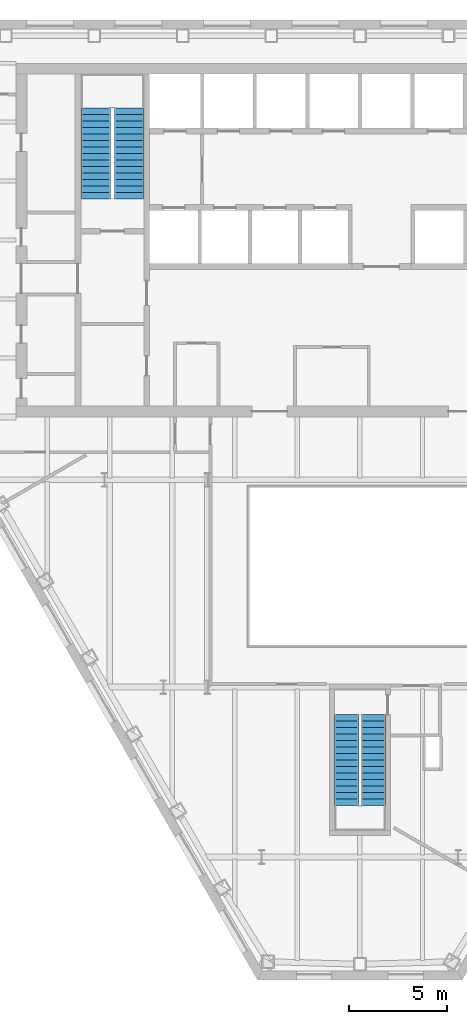
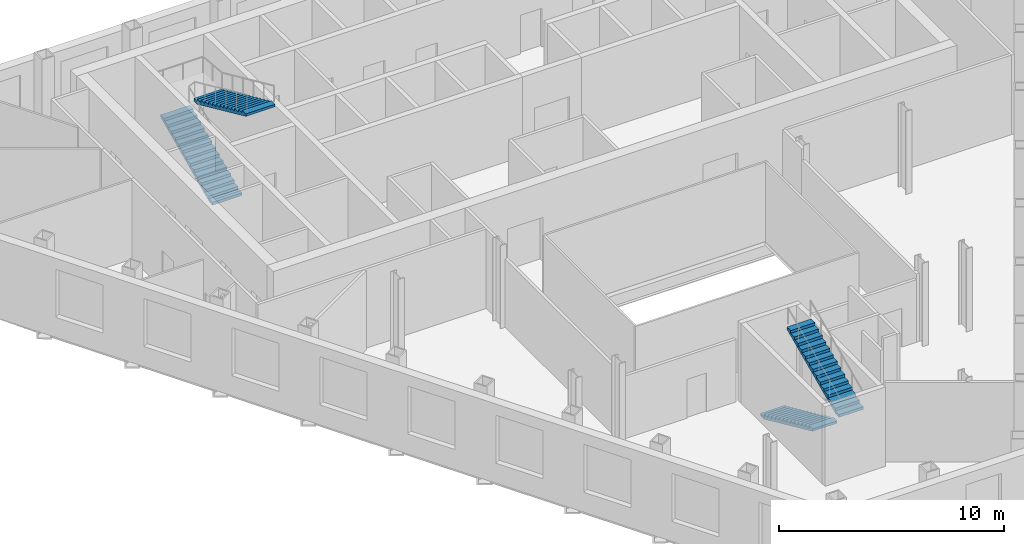
# One storey, part 9 of 11: 4 stair flights, 2 elements without a shape of their own.
"""IFC4 building model written with IfcOpenShell, lengths in metres."""

import ifcopenshell
import ifcopenshell.guid

model = None  # the IFC model being written
_history = None  # IfcOwnerHistory: only IFC2X3 demands one
_inside = {}  # id of a spatial element -> (the spatial element, [elements in it])
_under = {}  # id of a project, library or spatial element -> (it, [spatial elements below it])
_declared = {}  # id of a project -> (the project, [libraries it declares])
_typed = {}  # id of a type object -> (the type object, [elements of that type])
_made_of = {}  # id of a material, layer set ... -> (it, [elements and type objects made of it])


def new_model(schema):
    """Start an empty IFC model of exactly this schema.

    Asked for "IFC4X3", IfcOpenShell would pick the latest addendum, in which some entities
    have other attributes; the version numbers below select the first issue.
    IFC2X3 requires an IfcOwnerHistory on every rooted entity: one is made here for all.
    """
    global model, _history
    if schema == "IFC4X3":
        model = ifcopenshell.file(schema_version=(4, 3, 0, 0))
    else:
        model = ifcopenshell.file(schema=schema)
    _inside.clear()
    _under.clear()
    _declared.clear()
    _typed.clear()
    _made_of.clear()
    _history = None
    if model.schema == "IFC2X3":
        org = make("IfcOrganization", Name="unknown")
        user = make(
            "IfcPersonAndOrganization",
            ThePerson=make("IfcPerson", FamilyName="unknown"),
            TheOrganization=org,
        )
        app = make(
            "IfcApplication",
            ApplicationDeveloper=org,
            Version="unknown",
            ApplicationFullName="unknown",
            ApplicationIdentifier="unknown",
        )
        _history = make(
            "IfcOwnerHistory",
            OwningUser=user,
            OwningApplication=app,
            ChangeAction="ADDED",
            CreationDate=0,
        )
    return model


def make(cls, **values):
    """One entity of the class cls with the attributes given. An attribute that is None is left unset."""
    return model.create_entity(
        cls, **{name: value for name, value in values.items() if value is not None}
    )


def rooted(cls, **values):
    """An entity with a GlobalId (a new one), such as an element, a storey or a relation."""
    return make(cls, GlobalId=ifcopenshell.guid.new(), OwnerHistory=_history, **values)


def si_unit(unit_type, name, prefix=None):
    """IfcSIUnit, for example si_unit("LENGTHUNIT", "METRE", prefix="MILLI")."""
    return make("IfcSIUnit", UnitType=unit_type, Prefix=prefix, Name=name)


def assignment(units):
    """IfcUnitAssignment: the units of a project."""
    return None if units is None else make("IfcUnitAssignment", Units=units)


def point(xyz):
    """IfcCartesianPoint."""
    return None if xyz is None else make("IfcCartesianPoint", Coordinates=xyz)


def direction(xyz):
    """IfcDirection."""
    return None if xyz is None else make("IfcDirection", DirectionRatios=xyz)


def frame(location, z_axis=None, x_axis=None):
    """IfcAxis2Placement3D, a coordinate frame: its origin and axes. An axis left out is left unset."""
    return make(
        "IfcAxis2Placement3D",
        Location=point(location),
        Axis=direction(z_axis),
        RefDirection=direction(x_axis),
    )


def origin():
    """The frame at (0, 0, 0) with its axes left unset."""
    return frame((0.0, 0.0, 0.0))


def place(relative_to, where):
    """IfcLocalPlacement: puts the frame where relative to a parent placement (None: the world)."""
    return make(
        "IfcLocalPlacement", PlacementRelTo=relative_to, RelativePlacement=where
    )


def context(
    kind, dimensions, precision=None, world=None, true_north=None, identifier=None
):
    """IfcGeometricRepresentationContext, for example the 3D "Model" context."""
    return make(
        "IfcGeometricRepresentationContext",
        ContextIdentifier=identifier,
        ContextType=kind,
        CoordinateSpaceDimension=dimensions,
        Precision=precision,
        WorldCoordinateSystem=world,
        TrueNorth=true_north,
    )


def subcontext(parent, identifier, kind, view, scale=None):
    """IfcGeometricRepresentationSubContext, for example "Body" below "Model"."""
    return make(
        "IfcGeometricRepresentationSubContext",
        ContextIdentifier=identifier,
        ContextType=kind,
        ParentContext=parent,
        TargetScale=scale,
        TargetView=view,
    )


def project(units=None, contexts=None):
    """IfcProject with its units and contexts."""
    return rooted(
        "IfcProject",
        Name="project",
        RepresentationContexts=contexts,
        UnitsInContext=assignment(units),
    )


def spatial(cls, under=None, at=None, **own):
    """A site, building, storey or space (cls), placed at a placement, below another one or the project."""
    s = rooted(cls, ObjectPlacement=at, **own)
    if under is not None:
        _under.setdefault(under.id(), (under, []))[1].append(s)
    return s


def point_list(points):
    """IfcCartesianPointList2D or 3D."""
    cls = (
        "IfcCartesianPointList2D" if len(points[0]) == 2 else "IfcCartesianPointList3D"
    )
    return make(cls, CoordList=points)


def polygons(points, faces, closed=None, point_numbers=None):
    """IfcPolygonalFaceSet: a face is its outer loop, then its inner loops; points numbered from 1."""
    made = []
    for loops in faces:
        if len(loops) == 1:
            made.append(make("IfcIndexedPolygonalFace", CoordIndex=loops[0]))
        else:
            made.append(
                make(
                    "IfcIndexedPolygonalFaceWithVoids",
                    CoordIndex=loops[0],
                    InnerCoordIndices=loops[1:],
                )
            )
    return make(
        "IfcPolygonalFaceSet",
        Coordinates=point_list(points),
        Closed=closed,
        Faces=made,
        PnIndex=point_numbers,
    )


def shape(context_of_items, identifier, shape_type, items):
    """IfcShapeRepresentation: the items that make up one representation, for example the "Body"."""
    return make(
        "IfcShapeRepresentation",
        ContextOfItems=context_of_items,
        RepresentationIdentifier=identifier,
        RepresentationType=shape_type,
        Items=items,
    )


def material(Name=None, Category=None):
    """IfcMaterial."""
    return make("IfcMaterial", Name=Name, Category=Category)


def made_of(thing, what):
    """Note that an element or type object is made of a material, layer set ...; save() writes the relation."""
    if what is not None:
        _made_of.setdefault(what.id(), (what, []))[1].append(thing)
    return thing


def type_object(cls, material=None, **own):
    """A type object (cls), such as IfcWallType, which elements share."""
    return made_of(rooted(cls, **own), material)


def element(
    cls,
    number,
    at=None,
    inside=None,
    cuts=None,
    type_object=None,
    material=None,
    context=None,
    identifier="Body",
    shape_type=None,
    held_by="IfcProductDefinitionShape",
    body=None,
    shapes=None,
    **own,
):
    """One element of the class cls, such as IfcWall. Its Tag is "e" and its number.

    at: its placement. inside: the storey or other place that contains it. cuts: it is an
    opening in that element (IfcRelVoidsElement). A single representation is given by context,
    identifier, shape_type and body (its items); several are given by shapes. held_by: the class
    of the entity that holds the representations. save() writes the other relations.
    """
    e = rooted(cls, Tag="e%d" % number, ObjectPlacement=at, **own)
    if body is not None:
        shapes = [shape(context, identifier, shape_type, body)]
    if shapes is not None:
        e.Representation = make(held_by, Representations=shapes)
    if inside is not None:
        _inside.setdefault(inside.id(), (inside, []))[1].append(e)
    if cuts is not None:
        rooted(
            "IfcRelVoidsElement", RelatingBuildingElement=cuts, RelatedOpeningElement=e
        )
    if type_object is not None:
        _typed.setdefault(type_object.id(), (type_object, []))[1].append(e)
    return made_of(e, material)


def aggregate(whole, parts):
    """IfcRelAggregates: a whole, such as a stair, and the parts it consists of."""
    return rooted("IfcRelAggregates", RelatingObject=whole, RelatedObjects=parts)


def save(model, path):
    """Write the relations noted so far, then the file.

    IfcRelAggregates (storeys below a building ...), IfcRelContainedInSpatialStructure (elements
    in a storey), IfcRelDefinesByType, IfcRelAssociatesMaterial and IfcRelDeclares: one each for
    every whole, place, type object, material and project.
    """
    for whole, parts in _under.values():
        aggregate(whole, parts)
    for where, things in _inside.values():
        rooted(
            "IfcRelContainedInSpatialStructure",
            RelatedElements=things,
            RelatingStructure=where,
        )
    for kind, things in _typed.values():
        rooted("IfcRelDefinesByType", RelatedObjects=things, RelatingType=kind)
    for what, things in _made_of.values():
        rooted("IfcRelAssociatesMaterial", RelatedObjects=things, RelatingMaterial=what)
    for by, libraries in _declared.values():
        rooted("IfcRelDeclares", RelatingContext=by, RelatedDefinitions=libraries)
    model.write(path)


model = new_model("IFC4")

# Units and contexts
model_context = context("Model", 3, precision=1e-05, world=origin(), true_north=direction((0.0, 1.0)))
body_context = subcontext(model_context, "Body", "Model", "MODEL_VIEW")
ifc_project = project(units=[si_unit("LENGTHUNIT", "METRE"), si_unit("AREAUNIT", "SQUARE_METRE"), si_unit("VOLUMEUNIT", "CUBIC_METRE"), si_unit("PLANEANGLEUNIT", "RADIAN"), si_unit("MASSUNIT", "GRAM", prefix="KILO")], contexts=[model_context])

# Site, building, storey
site_placement = place(None, origin())
site = spatial("IfcSite", under=ifc_project, at=site_placement, CompositionType="ELEMENT")
building_placement = place(site_placement, origin())
building = spatial("IfcBuilding", under=site, at=building_placement, Name="Njiva Tower", CompositionType="ELEMENT")
storey_placement = place(building_placement, frame((0.0, 0.0, 84.3)))
storey = spatial("IfcBuildingStorey", under=building, at=storey_placement, Name="L17", CompositionType="ELEMENT", Elevation=84.3)

# Stair, stair flights
ifc_material = material(Name="Concrete C40/50", Category="concrete")
stair_type_1 = type_object("IfcStairType", Name="ST1 Exit stair 1250", PredefinedType="HALF_TURN_STAIR", material=ifc_material)
stair_1_placement = place(storey_placement, origin())
stair_1 = element("IfcStair", 1, at=stair_1_placement, inside=storey, type_object=stair_type_1, Name="Stair C", PredefinedType="HALF_TURN_STAIR")
stair_flight_type_1 = type_object("IfcStairFlightType", Name="FL1 Stair flight 1250", PredefinedType="STRAIGHT", material=ifc_material)
stair_flight_1_placement = place(storey_placement, frame((-0.675, -15.16, 0.0), z_axis=(0.0, 0.0, 1.0), x_axis=(0.0, -1.0, 0.0)))
stair_flight_1 = element("IfcStairFlight", 2, at=stair_flight_1_placement, type_object=stair_flight_type_1, Name="ST-C flight 1", NumberOfRisers=15, NumberOfTreads=14, PredefinedType="STRAIGHT", RiserHeight=0.15, TreadLength=0.33, context=body_context, shape_type="Tessellation", body=[
    polygons([(0.0, 0.625, 0.0), (0.0, 0.3125, 0.0), (0.0, 0.0, 0.0), (0.0, -0.3125, 0.0), (0.0, -0.625, 0.0), (0.0, 0.625, 0.15), (0.0, 0.3125, 0.15), (0.0, 0.0, 0.15), (0.0, -0.3125, 0.15), (0.0, -0.625, 0.15), (0.33, 0.625, 0.15), (0.33, 0.3125, 0.15), (0.33, 0.0, 0.15), (0.33, -0.3125, 0.15), (0.33, -0.625, 0.15), (0.33, 0.625, 0.3), (0.33, 0.3125, 0.3), (0.33, 0.0, 0.3), (0.33, -0.3125, 0.3), (0.33, -0.625, 0.3), (0.66, 0.625, 0.3), (0.66, 0.3125, 0.3), (0.66, 0.0, 0.3), (0.66, -0.3125, 0.3), (0.66, -0.625, 0.3), (0.66, 0.625, 0.45), (0.66, 0.3125, 0.45), (0.66, 0.0, 0.45), (0.66, -0.3125, 0.45), (0.66, -0.625, 0.45), (0.99, 0.625, 0.45), (0.99, 0.3125, 0.45), (0.99, 0.0, 0.45), (0.99, -0.3125, 0.45), (0.99, -0.625, 0.45), (0.99, 0.625, 0.6), (0.99, 0.3125, 0.6), (0.99, 0.0, 0.6), (0.99, -0.3125, 0.6), (0.99, -0.625, 0.6), (1.32, 0.625, 0.6), (1.32, 0.3125, 0.6), (1.32, 0.0, 0.6), (1.32, -0.3125, 0.6), (1.32, -0.625, 0.6), (1.32, 0.625, 0.75), (1.32, 0.3125, 0.75), (1.32, 0.0, 0.75), (1.32, -0.3125, 0.75), (1.32, -0.625, 0.75), (1.65, 0.625, 0.75), (1.65, 0.3125, 0.75), (1.65, 0.0, 0.75), (1.65, -0.3125, 0.75), (1.65, -0.625, 0.75), (1.65, 0.625, 0.9), (1.65, 0.3125, 0.9), (1.65, 0.0, 0.9), (1.65, -0.3125, 0.9), (1.65, -0.625, 0.9), (1.98, 0.625, 0.9), (1.98, 0.3125, 0.9), (1.98, 0.0, 0.9), (1.98, -0.3125, 0.9), (1.98, -0.625, 0.9), (1.98, 0.625, 1.05), (1.98, 0.3125, 1.05), (1.98, 0.0, 1.05), (1.98, -0.3125, 1.05), (1.98, -0.625, 1.05), (2.31, 0.625, 1.05), (2.31, 0.3125, 1.05), (2.31, 0.0, 1.05), (2.31, -0.3125, 1.05), (2.31, -0.625, 1.05), (2.31, 0.625, 1.2), (2.31, 0.3125, 1.2), (2.31, 0.0, 1.2), (2.31, -0.3125, 1.2), (2.31, -0.625, 1.2), (2.64, 0.625, 1.2), (2.64, 0.3125, 1.2), (2.64, 0.0, 1.2), (2.64, -0.3125, 1.2), (2.64, -0.625, 1.2), (2.64, 0.625, 1.35), (2.64, 0.3125, 1.35), (2.64, 0.0, 1.35), (2.64, -0.3125, 1.35), (2.64, -0.625, 1.35), (2.97, 0.625, 1.35), (2.97, 0.3125, 1.35), (2.97, 0.0, 1.35), (2.97, -0.3125, 1.35), (2.97, -0.625, 1.35), (2.97, 0.625, 1.5), (2.97, 0.3125, 1.5), (2.97, 0.0, 1.5), (2.97, -0.3125, 1.5), (2.97, -0.625, 1.5), (3.3, 0.625, 1.5), (3.3, 0.3125, 1.5), (3.3, 0.0, 1.5), (3.3, -0.3125, 1.5), (3.3, -0.625, 1.5), (3.3, 0.625, 1.65), (3.3, 0.3125, 1.65), (3.3, 0.0, 1.65), (3.3, -0.3125, 1.65), (3.3, -0.625, 1.65), (3.63, 0.625, 1.65), (3.63, 0.3125, 1.65), (3.63, 0.0, 1.65), (3.63, -0.3125, 1.65), (3.63, -0.625, 1.65), (3.63, 0.625, 1.8), (3.63, 0.3125, 1.8), (3.63, 0.0, 1.8), (3.63, -0.3125, 1.8), (3.63, -0.625, 1.8), (3.96, 0.625, 1.8), (3.96, 0.3125, 1.8), (3.96, 0.0, 1.8), (3.96, -0.3125, 1.8), (3.96, -0.625, 1.8), (3.96, 0.625, 1.95), (3.96, 0.3125, 1.95), (3.96, 0.0, 1.95), (3.96, -0.3125, 1.95), (3.96, -0.625, 1.95), (4.29, 0.625, 1.95), (4.29, 0.3125, 1.95), (4.29, 0.0, 1.95), (4.29, -0.3125, 1.95), (4.29, -0.625, 1.95), (4.29, 0.625, 2.1), (4.29, 0.3125, 2.1), (4.29, 0.0, 2.1), (4.29, -0.3125, 2.1), (4.29, -0.625, 2.1), (4.62, 0.625, 2.1), (4.62, 0.3125, 2.1), (4.62, 0.0, 2.1), (4.62, -0.3125, 2.1), (4.62, -0.625, 2.1), (4.62, 0.625, 1.9682), (4.62, 0.3125, 1.9682), (4.62, 0.0, 1.9682), (4.62, -0.3125, 1.9682), (4.62, -0.625, 1.9682), (0.29, 0.625, 0.0), (0.29, 0.3125, 0.0), (0.29, 0.0, 0.0), (0.29, -0.3125, 0.0), (0.29, -0.625, 0.0)], [[[1, 6, 11, 16, 21, 26, 31, 36, 41, 46, 51, 56, 61, 66, 71, 76, 81, 86, 91, 96, 101, 106, 111, 116, 121, 126, 131, 136, 141, 146, 151]], [[155, 150, 145, 140, 135, 130, 125, 120, 115, 110, 105, 100, 95, 90, 85, 80, 75, 70, 65, 60, 55, 50, 45, 40, 35, 30, 25, 20, 15, 10, 5]], [[6, 1, 2, 7]], [[7, 2, 3, 8]], [[8, 3, 4, 9]], [[9, 4, 5, 10]], [[11, 6, 7, 12]], [[12, 7, 8, 13]], [[13, 8, 9, 14]], [[14, 9, 10, 15]], [[16, 11, 12, 17]], [[17, 12, 13, 18]], [[18, 13, 14, 19]], [[19, 14, 15, 20]], [[21, 16, 17, 22]], [[22, 17, 18, 23]], [[23, 18, 19, 24]], [[24, 19, 20, 25]], [[26, 21, 22, 27]], [[27, 22, 23, 28]], [[28, 23, 24, 29]], [[29, 24, 25, 30]], [[31, 26, 27, 32]], [[32, 27, 28, 33]], [[33, 28, 29, 34]], [[34, 29, 30, 35]], [[36, 31, 32, 37]], [[37, 32, 33, 38]], [[38, 33, 34, 39]], [[39, 34, 35, 40]], [[41, 36, 37, 42]], [[42, 37, 38, 43]], [[43, 38, 39, 44]], [[44, 39, 40, 45]], [[46, 41, 42, 47]], [[47, 42, 43, 48]], [[48, 43, 44, 49]], [[49, 44, 45, 50]], [[51, 46, 47, 52]], [[52, 47, 48, 53]], [[53, 48, 49, 54]], [[54, 49, 50, 55]], [[56, 51, 52, 57]], [[57, 52, 53, 58]], [[58, 53, 54, 59]], [[59, 54, 55, 60]], [[61, 56, 57, 62]], [[62, 57, 58, 63]], [[63, 58, 59, 64]], [[64, 59, 60, 65]], [[66, 61, 62, 67]], [[67, 62, 63, 68]], [[68, 63, 64, 69]], [[69, 64, 65, 70]], [[71, 66, 67, 72]], [[72, 67, 68, 73]], [[73, 68, 69, 74]], [[74, 69, 70, 75]], [[76, 71, 72, 77]], [[77, 72, 73, 78]], [[78, 73, 74, 79]], [[79, 74, 75, 80]], [[81, 76, 77, 82]], [[82, 77, 78, 83]], [[83, 78, 79, 84]], [[84, 79, 80, 85]], [[86, 81, 82, 87]], [[87, 82, 83, 88]], [[88, 83, 84, 89]], [[89, 84, 85, 90]], [[91, 86, 87, 92]], [[92, 87, 88, 93]], [[93, 88, 89, 94]], [[94, 89, 90, 95]], [[96, 91, 92, 97]], [[97, 92, 93, 98]], [[98, 93, 94, 99]], [[99, 94, 95, 100]], [[101, 96, 97, 102]], [[102, 97, 98, 103]], [[103, 98, 99, 104]], [[104, 99, 100, 105]], [[106, 101, 102, 107]], [[107, 102, 103, 108]], [[108, 103, 104, 109]], [[109, 104, 105, 110]], [[111, 106, 107, 112]], [[112, 107, 108, 113]], [[113, 108, 109, 114]], [[114, 109, 110, 115]], [[116, 111, 112, 117]], [[117, 112, 113, 118]], [[118, 113, 114, 119]], [[119, 114, 115, 120]], [[121, 116, 117, 122]], [[122, 117, 118, 123]], [[123, 118, 119, 124]], [[124, 119, 120, 125]], [[126, 121, 122, 127]], [[127, 122, 123, 128]], [[128, 123, 124, 129]], [[129, 124, 125, 130]], [[131, 126, 127, 132]], [[132, 127, 128, 133]], [[133, 128, 129, 134]], [[134, 129, 130, 135]], [[136, 131, 132, 137]], [[137, 132, 133, 138]], [[138, 133, 134, 139]], [[139, 134, 135, 140]], [[141, 136, 137, 142]], [[142, 137, 138, 143]], [[143, 138, 139, 144]], [[144, 139, 140, 145]], [[146, 141, 142, 147]], [[147, 142, 143, 148]], [[148, 143, 144, 149]], [[149, 144, 145, 150]], [[151, 146, 147, 152]], [[152, 147, 148, 153]], [[153, 148, 149, 154]], [[154, 149, 150, 155]], [[1, 151, 152, 2]], [[2, 152, 153, 3]], [[3, 153, 154, 4]], [[4, 154, 155, 5]]], closed=True),
])
stair_flight_2_placement = place(storey_placement, frame((0.675, -19.78, 2.25), z_axis=(0.0, 0.0, 1.0), x_axis=(0.0, 1.0, 0.0)))
stair_flight_2 = element("IfcStairFlight", 3, at=stair_flight_2_placement, type_object=stair_flight_type_1, Name="ST-C flight 2", NumberOfRisers=15, NumberOfTreads=14, PredefinedType="STRAIGHT", RiserHeight=0.15, TreadLength=0.33, context=body_context, shape_type="Tessellation", body=[
    polygons([(0.0, 0.625, 0.0), (0.0, 0.3125, 0.0), (0.0, 0.0, 0.0), (0.0, -0.3125, 0.0), (0.0, -0.625, 0.0), (0.0, 0.625, 0.15), (0.0, 0.3125, 0.15), (0.0, 0.0, 0.15), (0.0, -0.3125, 0.15), (0.0, -0.625, 0.15), (0.33, 0.625, 0.15), (0.33, 0.3125, 0.15), (0.33, 0.0, 0.15), (0.33, -0.3125, 0.15), (0.33, -0.625, 0.15), (0.33, 0.625, 0.3), (0.33, 0.3125, 0.3), (0.33, 0.0, 0.3), (0.33, -0.3125, 0.3), (0.33, -0.625, 0.3), (0.66, 0.625, 0.3), (0.66, 0.3125, 0.3), (0.66, 0.0, 0.3), (0.66, -0.3125, 0.3), (0.66, -0.625, 0.3), (0.66, 0.625, 0.45), (0.66, 0.3125, 0.45), (0.66, 0.0, 0.45), (0.66, -0.3125, 0.45), (0.66, -0.625, 0.45), (0.99, 0.625, 0.45), (0.99, 0.3125, 0.45), (0.99, 0.0, 0.45), (0.99, -0.3125, 0.45), (0.99, -0.625, 0.45), (0.99, 0.625, 0.6), (0.99, 0.3125, 0.6), (0.99, 0.0, 0.6), (0.99, -0.3125, 0.6), (0.99, -0.625, 0.6), (1.32, 0.625, 0.6), (1.32, 0.3125, 0.6), (1.32, 0.0, 0.6), (1.32, -0.3125, 0.6), (1.32, -0.625, 0.6), (1.32, 0.625, 0.75), (1.32, 0.3125, 0.75), (1.32, 0.0, 0.75), (1.32, -0.3125, 0.75), (1.32, -0.625, 0.75), (1.65, 0.625, 0.75), (1.65, 0.3125, 0.75), (1.65, 0.0, 0.75), (1.65, -0.3125, 0.75), (1.65, -0.625, 0.75), (1.65, 0.625, 0.9), (1.65, 0.3125, 0.9), (1.65, 0.0, 0.9), (1.65, -0.3125, 0.9), (1.65, -0.625, 0.9), (1.98, 0.625, 0.9), (1.98, 0.3125, 0.9), (1.98, 0.0, 0.9), (1.98, -0.3125, 0.9), (1.98, -0.625, 0.9), (1.98, 0.625, 1.05), (1.98, 0.3125, 1.05), (1.98, 0.0, 1.05), (1.98, -0.3125, 1.05), (1.98, -0.625, 1.05), (2.31, 0.625, 1.05), (2.31, 0.3125, 1.05), (2.31, 0.0, 1.05), (2.31, -0.3125, 1.05), (2.31, -0.625, 1.05), (2.31, 0.625, 1.2), (2.31, 0.3125, 1.2), (2.31, 0.0, 1.2), (2.31, -0.3125, 1.2), (2.31, -0.625, 1.2), (2.64, 0.625, 1.2), (2.64, 0.3125, 1.2), (2.64, 0.0, 1.2), (2.64, -0.3125, 1.2), (2.64, -0.625, 1.2), (2.64, 0.625, 1.35), (2.64, 0.3125, 1.35), (2.64, 0.0, 1.35), (2.64, -0.3125, 1.35), (2.64, -0.625, 1.35), (2.97, 0.625, 1.35), (2.97, 0.3125, 1.35), (2.97, 0.0, 1.35), (2.97, -0.3125, 1.35), (2.97, -0.625, 1.35), (2.97, 0.625, 1.5), (2.97, 0.3125, 1.5), (2.97, 0.0, 1.5), (2.97, -0.3125, 1.5), (2.97, -0.625, 1.5), (3.3, 0.625, 1.5), (3.3, 0.3125, 1.5), (3.3, 0.0, 1.5), (3.3, -0.3125, 1.5), (3.3, -0.625, 1.5), (3.3, 0.625, 1.65), (3.3, 0.3125, 1.65), (3.3, 0.0, 1.65), (3.3, -0.3125, 1.65), (3.3, -0.625, 1.65), (3.63, 0.625, 1.65), (3.63, 0.3125, 1.65), (3.63, 0.0, 1.65), (3.63, -0.3125, 1.65), (3.63, -0.625, 1.65), (3.63, 0.625, 1.8), (3.63, 0.3125, 1.8), (3.63, 0.0, 1.8), (3.63, -0.3125, 1.8), (3.63, -0.625, 1.8), (3.96, 0.625, 1.8), (3.96, 0.3125, 1.8), (3.96, 0.0, 1.8), (3.96, -0.3125, 1.8), (3.96, -0.625, 1.8), (3.96, 0.625, 1.95), (3.96, 0.3125, 1.95), (3.96, 0.0, 1.95), (3.96, -0.3125, 1.95), (3.96, -0.625, 1.95), (4.29, 0.625, 1.95), (4.29, 0.3125, 1.95), (4.29, 0.0, 1.95), (4.29, -0.3125, 1.95), (4.29, -0.625, 1.95), (4.29, 0.625, 2.1), (4.29, 0.3125, 2.1), (4.29, 0.0, 2.1), (4.29, -0.3125, 2.1), (4.29, -0.625, 2.1), (4.62, 0.625, 2.1), (4.62, 0.3125, 2.1), (4.62, 0.0, 2.1), (4.62, -0.3125, 2.1), (4.62, -0.625, 2.1), (4.62, 0.625, 1.9682), (4.62, 0.3125, 1.9682), (4.62, 0.0, 1.9682), (4.62, -0.3125, 1.9682), (4.62, -0.625, 1.9682), (0.29, 0.625, 0.0), (0.29, 0.3125, 0.0), (0.29, 0.0, 0.0), (0.29, -0.3125, 0.0), (0.29, -0.625, 0.0)], [[[1, 6, 11, 16, 21, 26, 31, 36, 41, 46, 51, 56, 61, 66, 71, 76, 81, 86, 91, 96, 101, 106, 111, 116, 121, 126, 131, 136, 141, 146, 151]], [[155, 150, 145, 140, 135, 130, 125, 120, 115, 110, 105, 100, 95, 90, 85, 80, 75, 70, 65, 60, 55, 50, 45, 40, 35, 30, 25, 20, 15, 10, 5]], [[6, 1, 2, 7]], [[7, 2, 3, 8]], [[8, 3, 4, 9]], [[9, 4, 5, 10]], [[11, 6, 7, 12]], [[12, 7, 8, 13]], [[13, 8, 9, 14]], [[14, 9, 10, 15]], [[16, 11, 12, 17]], [[17, 12, 13, 18]], [[18, 13, 14, 19]], [[19, 14, 15, 20]], [[21, 16, 17, 22]], [[22, 17, 18, 23]], [[23, 18, 19, 24]], [[24, 19, 20, 25]], [[26, 21, 22, 27]], [[27, 22, 23, 28]], [[28, 23, 24, 29]], [[29, 24, 25, 30]], [[31, 26, 27, 32]], [[32, 27, 28, 33]], [[33, 28, 29, 34]], [[34, 29, 30, 35]], [[36, 31, 32, 37]], [[37, 32, 33, 38]], [[38, 33, 34, 39]], [[39, 34, 35, 40]], [[41, 36, 37, 42]], [[42, 37, 38, 43]], [[43, 38, 39, 44]], [[44, 39, 40, 45]], [[46, 41, 42, 47]], [[47, 42, 43, 48]], [[48, 43, 44, 49]], [[49, 44, 45, 50]], [[51, 46, 47, 52]], [[52, 47, 48, 53]], [[53, 48, 49, 54]], [[54, 49, 50, 55]], [[56, 51, 52, 57]], [[57, 52, 53, 58]], [[58, 53, 54, 59]], [[59, 54, 55, 60]], [[61, 56, 57, 62]], [[62, 57, 58, 63]], [[63, 58, 59, 64]], [[64, 59, 60, 65]], [[66, 61, 62, 67]], [[67, 62, 63, 68]], [[68, 63, 64, 69]], [[69, 64, 65, 70]], [[71, 66, 67, 72]], [[72, 67, 68, 73]], [[73, 68, 69, 74]], [[74, 69, 70, 75]], [[76, 71, 72, 77]], [[77, 72, 73, 78]], [[78, 73, 74, 79]], [[79, 74, 75, 80]], [[81, 76, 77, 82]], [[82, 77, 78, 83]], [[83, 78, 79, 84]], [[84, 79, 80, 85]], [[86, 81, 82, 87]], [[87, 82, 83, 88]], [[88, 83, 84, 89]], [[89, 84, 85, 90]], [[91, 86, 87, 92]], [[92, 87, 88, 93]], [[93, 88, 89, 94]], [[94, 89, 90, 95]], [[96, 91, 92, 97]], [[97, 92, 93, 98]], [[98, 93, 94, 99]], [[99, 94, 95, 100]], [[101, 96, 97, 102]], [[102, 97, 98, 103]], [[103, 98, 99, 104]], [[104, 99, 100, 105]], [[106, 101, 102, 107]], [[107, 102, 103, 108]], [[108, 103, 104, 109]], [[109, 104, 105, 110]], [[111, 106, 107, 112]], [[112, 107, 108, 113]], [[113, 108, 109, 114]], [[114, 109, 110, 115]], [[116, 111, 112, 117]], [[117, 112, 113, 118]], [[118, 113, 114, 119]], [[119, 114, 115, 120]], [[121, 116, 117, 122]], [[122, 117, 118, 123]], [[123, 118, 119, 124]], [[124, 119, 120, 125]], [[126, 121, 122, 127]], [[127, 122, 123, 128]], [[128, 123, 124, 129]], [[129, 124, 125, 130]], [[131, 126, 127, 132]], [[132, 127, 128, 133]], [[133, 128, 129, 134]], [[134, 129, 130, 135]], [[136, 131, 132, 137]], [[137, 132, 133, 138]], [[138, 133, 134, 139]], [[139, 134, 135, 140]], [[141, 136, 137, 142]], [[142, 137, 138, 143]], [[143, 138, 139, 144]], [[144, 139, 140, 145]], [[146, 141, 142, 147]], [[147, 142, 143, 148]], [[148, 143, 144, 149]], [[149, 144, 145, 150]], [[151, 146, 147, 152]], [[152, 147, 148, 153]], [[153, 148, 149, 154]], [[154, 149, 150, 155]], [[1, 151, 152, 2]], [[2, 152, 153, 3]], [[3, 153, 154, 4]], [[4, 154, 155, 5]]], closed=True),
])
aggregate(stair_1, [stair_flight_1, stair_flight_2])

stair_type_2 = type_object("IfcStairType", Name="ST4 Exit stair 1500", PredefinedType="HALF_TURN_STAIR", material=ifc_material)
stair_2_placement = place(storey_placement, origin())
stair_2 = element("IfcStair", 4, at=stair_2_placement, inside=storey, type_object=stair_type_2, Name="Stair A", PredefinedType="HALF_TURN_STAIR")
stair_flight_type_2 = type_object("IfcStairFlightType", Name="FL4 Stair flight 1500", PredefinedType="STRAIGHT", material=ifc_material)
stair_flight_3_placement = place(storey_placement, frame((-13.45, 11.1, 0.0), z_axis=(0.0, 0.0, 1.0), x_axis=(0.0, 1.0, 0.0)))
stair_flight_3 = element("IfcStairFlight", 5, at=stair_flight_3_placement, type_object=stair_flight_type_2, Name="ST-A flight 1", NumberOfRisers=15, NumberOfTreads=14, PredefinedType="STRAIGHT", RiserHeight=0.15, TreadLength=0.33, context=body_context, shape_type="Tessellation", body=[
    polygons([(0.0, 0.75, 0.0), (0.0, 0.375, 0.0), (0.0, 0.0, 0.0), (0.0, -0.375, 0.0), (0.0, -0.75, 0.0), (0.0, 0.75, 0.15), (0.0, 0.375, 0.15), (0.0, 0.0, 0.15), (0.0, -0.375, 0.15), (0.0, -0.75, 0.15), (0.33, 0.75, 0.15), (0.33, 0.375, 0.15), (0.33, 0.0, 0.15), (0.33, -0.375, 0.15), (0.33, -0.75, 0.15), (0.33, 0.75, 0.3), (0.33, 0.375, 0.3), (0.33, 0.0, 0.3), (0.33, -0.375, 0.3), (0.33, -0.75, 0.3), (0.66, 0.75, 0.3), (0.66, 0.375, 0.3), (0.66, 0.0, 0.3), (0.66, -0.375, 0.3), (0.66, -0.75, 0.3), (0.66, 0.75, 0.45), (0.66, 0.375, 0.45), (0.66, 0.0, 0.45), (0.66, -0.375, 0.45), (0.66, -0.75, 0.45), (0.99, 0.75, 0.45), (0.99, 0.375, 0.45), (0.99, 0.0, 0.45), (0.99, -0.375, 0.45), (0.99, -0.75, 0.45), (0.99, 0.75, 0.6), (0.99, 0.375, 0.6), (0.99, 0.0, 0.6), (0.99, -0.375, 0.6), (0.99, -0.75, 0.6), (1.32, 0.75, 0.6), (1.32, 0.375, 0.6), (1.32, 0.0, 0.6), (1.32, -0.375, 0.6), (1.32, -0.75, 0.6), (1.32, 0.75, 0.75), (1.32, 0.375, 0.75), (1.32, 0.0, 0.75), (1.32, -0.375, 0.75), (1.32, -0.75, 0.75), (1.65, 0.75, 0.75), (1.65, 0.375, 0.75), (1.65, 0.0, 0.75), (1.65, -0.375, 0.75), (1.65, -0.75, 0.75), (1.65, 0.75, 0.9), (1.65, 0.375, 0.9), (1.65, 0.0, 0.9), (1.65, -0.375, 0.9), (1.65, -0.75, 0.9), (1.98, 0.75, 0.9), (1.98, 0.375, 0.9), (1.98, 0.0, 0.9), (1.98, -0.375, 0.9), (1.98, -0.75, 0.9), (1.98, 0.75, 1.05), (1.98, 0.375, 1.05), (1.98, 0.0, 1.05), (1.98, -0.375, 1.05), (1.98, -0.75, 1.05), (2.31, 0.75, 1.05), (2.31, 0.375, 1.05), (2.31, 0.0, 1.05), (2.31, -0.375, 1.05), (2.31, -0.75, 1.05), (2.31, 0.75, 1.2), (2.31, 0.375, 1.2), (2.31, 0.0, 1.2), (2.31, -0.375, 1.2), (2.31, -0.75, 1.2), (2.64, 0.75, 1.2), (2.64, 0.375, 1.2), (2.64, 0.0, 1.2), (2.64, -0.375, 1.2), (2.64, -0.75, 1.2), (2.64, 0.75, 1.35), (2.64, 0.375, 1.35), (2.64, 0.0, 1.35), (2.64, -0.375, 1.35), (2.64, -0.75, 1.35), (2.97, 0.75, 1.35), (2.97, 0.375, 1.35), (2.97, 0.0, 1.35), (2.97, -0.375, 1.35), (2.97, -0.75, 1.35), (2.97, 0.75, 1.5), (2.97, 0.375, 1.5), (2.97, 0.0, 1.5), (2.97, -0.375, 1.5), (2.97, -0.75, 1.5), (3.3, 0.75, 1.5), (3.3, 0.375, 1.5), (3.3, 0.0, 1.5), (3.3, -0.375, 1.5), (3.3, -0.75, 1.5), (3.3, 0.75, 1.65), (3.3, 0.375, 1.65), (3.3, 0.0, 1.65), (3.3, -0.375, 1.65), (3.3, -0.75, 1.65), (3.63, 0.75, 1.65), (3.63, 0.375, 1.65), (3.63, 0.0, 1.65), (3.63, -0.375, 1.65), (3.63, -0.75, 1.65), (3.63, 0.75, 1.8), (3.63, 0.375, 1.8), (3.63, 0.0, 1.8), (3.63, -0.375, 1.8), (3.63, -0.75, 1.8), (3.96, 0.75, 1.8), (3.96, 0.375, 1.8), (3.96, 0.0, 1.8), (3.96, -0.375, 1.8), (3.96, -0.75, 1.8), (3.96, 0.75, 1.95), (3.96, 0.375, 1.95), (3.96, 0.0, 1.95), (3.96, -0.375, 1.95), (3.96, -0.75, 1.95), (4.29, 0.75, 1.95), (4.29, 0.375, 1.95), (4.29, 0.0, 1.95), (4.29, -0.375, 1.95), (4.29, -0.75, 1.95), (4.29, 0.75, 2.1), (4.29, 0.375, 2.1), (4.29, 0.0, 2.1), (4.29, -0.375, 2.1), (4.29, -0.75, 2.1), (4.62, 0.75, 2.1), (4.62, 0.375, 2.1), (4.62, 0.0, 2.1), (4.62, -0.375, 2.1), (4.62, -0.75, 2.1), (4.62, 0.75, 1.9682), (4.62, 0.375, 1.9682), (4.62, 0.0, 1.9682), (4.62, -0.375, 1.9682), (4.62, -0.75, 1.9682), (0.29, 0.75, 0.0), (0.29, 0.375, 0.0), (0.29, 0.0, 0.0), (0.29, -0.375, 0.0), (0.29, -0.75, 0.0)], [[[1, 6, 11, 16, 21, 26, 31, 36, 41, 46, 51, 56, 61, 66, 71, 76, 81, 86, 91, 96, 101, 106, 111, 116, 121, 126, 131, 136, 141, 146, 151]], [[155, 150, 145, 140, 135, 130, 125, 120, 115, 110, 105, 100, 95, 90, 85, 80, 75, 70, 65, 60, 55, 50, 45, 40, 35, 30, 25, 20, 15, 10, 5]], [[6, 1, 2, 7]], [[7, 2, 3, 8]], [[8, 3, 4, 9]], [[9, 4, 5, 10]], [[11, 6, 7, 12]], [[12, 7, 8, 13]], [[13, 8, 9, 14]], [[14, 9, 10, 15]], [[16, 11, 12, 17]], [[17, 12, 13, 18]], [[18, 13, 14, 19]], [[19, 14, 15, 20]], [[21, 16, 17, 22]], [[22, 17, 18, 23]], [[23, 18, 19, 24]], [[24, 19, 20, 25]], [[26, 21, 22, 27]], [[27, 22, 23, 28]], [[28, 23, 24, 29]], [[29, 24, 25, 30]], [[31, 26, 27, 32]], [[32, 27, 28, 33]], [[33, 28, 29, 34]], [[34, 29, 30, 35]], [[36, 31, 32, 37]], [[37, 32, 33, 38]], [[38, 33, 34, 39]], [[39, 34, 35, 40]], [[41, 36, 37, 42]], [[42, 37, 38, 43]], [[43, 38, 39, 44]], [[44, 39, 40, 45]], [[46, 41, 42, 47]], [[47, 42, 43, 48]], [[48, 43, 44, 49]], [[49, 44, 45, 50]], [[51, 46, 47, 52]], [[52, 47, 48, 53]], [[53, 48, 49, 54]], [[54, 49, 50, 55]], [[56, 51, 52, 57]], [[57, 52, 53, 58]], [[58, 53, 54, 59]], [[59, 54, 55, 60]], [[61, 56, 57, 62]], [[62, 57, 58, 63]], [[63, 58, 59, 64]], [[64, 59, 60, 65]], [[66, 61, 62, 67]], [[67, 62, 63, 68]], [[68, 63, 64, 69]], [[69, 64, 65, 70]], [[71, 66, 67, 72]], [[72, 67, 68, 73]], [[73, 68, 69, 74]], [[74, 69, 70, 75]], [[76, 71, 72, 77]], [[77, 72, 73, 78]], [[78, 73, 74, 79]], [[79, 74, 75, 80]], [[81, 76, 77, 82]], [[82, 77, 78, 83]], [[83, 78, 79, 84]], [[84, 79, 80, 85]], [[86, 81, 82, 87]], [[87, 82, 83, 88]], [[88, 83, 84, 89]], [[89, 84, 85, 90]], [[91, 86, 87, 92]], [[92, 87, 88, 93]], [[93, 88, 89, 94]], [[94, 89, 90, 95]], [[96, 91, 92, 97]], [[97, 92, 93, 98]], [[98, 93, 94, 99]], [[99, 94, 95, 100]], [[101, 96, 97, 102]], [[102, 97, 98, 103]], [[103, 98, 99, 104]], [[104, 99, 100, 105]], [[106, 101, 102, 107]], [[107, 102, 103, 108]], [[108, 103, 104, 109]], [[109, 104, 105, 110]], [[111, 106, 107, 112]], [[112, 107, 108, 113]], [[113, 108, 109, 114]], [[114, 109, 110, 115]], [[116, 111, 112, 117]], [[117, 112, 113, 118]], [[118, 113, 114, 119]], [[119, 114, 115, 120]], [[121, 116, 117, 122]], [[122, 117, 118, 123]], [[123, 118, 119, 124]], [[124, 119, 120, 125]], [[126, 121, 122, 127]], [[127, 122, 123, 128]], [[128, 123, 124, 129]], [[129, 124, 125, 130]], [[131, 126, 127, 132]], [[132, 127, 128, 133]], [[133, 128, 129, 134]], [[134, 129, 130, 135]], [[136, 131, 132, 137]], [[137, 132, 133, 138]], [[138, 133, 134, 139]], [[139, 134, 135, 140]], [[141, 136, 137, 142]], [[142, 137, 138, 143]], [[143, 138, 139, 144]], [[144, 139, 140, 145]], [[146, 141, 142, 147]], [[147, 142, 143, 148]], [[148, 143, 144, 149]], [[149, 144, 145, 150]], [[151, 146, 147, 152]], [[152, 147, 148, 153]], [[153, 148, 149, 154]], [[154, 149, 150, 155]], [[1, 151, 152, 2]], [[2, 152, 153, 3]], [[3, 153, 154, 4]], [[4, 154, 155, 5]]], closed=True),
])
stair_flight_4_placement = place(storey_placement, frame((-11.75, 15.72, 2.25), z_axis=(0.0, 0.0, 1.0), x_axis=(0.0, -1.0, 0.0)))
stair_flight_4 = element("IfcStairFlight", 6, at=stair_flight_4_placement, type_object=stair_flight_type_2, Name="ST-A flight 2", NumberOfRisers=15, NumberOfTreads=14, PredefinedType="STRAIGHT", RiserHeight=0.15, TreadLength=0.33, context=body_context, shape_type="Tessellation", body=[
    polygons([(0.0, 0.75, 0.0), (0.0, 0.375, 0.0), (0.0, 0.0, 0.0), (0.0, -0.375, 0.0), (0.0, -0.75, 0.0), (0.0, 0.75, 0.15), (0.0, 0.375, 0.15), (0.0, 0.0, 0.15), (0.0, -0.375, 0.15), (0.0, -0.75, 0.15), (0.33, 0.75, 0.15), (0.33, 0.375, 0.15), (0.33, 0.0, 0.15), (0.33, -0.375, 0.15), (0.33, -0.75, 0.15), (0.33, 0.75, 0.3), (0.33, 0.375, 0.3), (0.33, 0.0, 0.3), (0.33, -0.375, 0.3), (0.33, -0.75, 0.3), (0.66, 0.75, 0.3), (0.66, 0.375, 0.3), (0.66, 0.0, 0.3), (0.66, -0.375, 0.3), (0.66, -0.75, 0.3), (0.66, 0.75, 0.45), (0.66, 0.375, 0.45), (0.66, 0.0, 0.45), (0.66, -0.375, 0.45), (0.66, -0.75, 0.45), (0.99, 0.75, 0.45), (0.99, 0.375, 0.45), (0.99, 0.0, 0.45), (0.99, -0.375, 0.45), (0.99, -0.75, 0.45), (0.99, 0.75, 0.6), (0.99, 0.375, 0.6), (0.99, 0.0, 0.6), (0.99, -0.375, 0.6), (0.99, -0.75, 0.6), (1.32, 0.75, 0.6), (1.32, 0.375, 0.6), (1.32, 0.0, 0.6), (1.32, -0.375, 0.6), (1.32, -0.75, 0.6), (1.32, 0.75, 0.75), (1.32, 0.375, 0.75), (1.32, 0.0, 0.75), (1.32, -0.375, 0.75), (1.32, -0.75, 0.75), (1.65, 0.75, 0.75), (1.65, 0.375, 0.75), (1.65, 0.0, 0.75), (1.65, -0.375, 0.75), (1.65, -0.75, 0.75), (1.65, 0.75, 0.9), (1.65, 0.375, 0.9), (1.65, 0.0, 0.9), (1.65, -0.375, 0.9), (1.65, -0.75, 0.9), (1.98, 0.75, 0.9), (1.98, 0.375, 0.9), (1.98, 0.0, 0.9), (1.98, -0.375, 0.9), (1.98, -0.75, 0.9), (1.98, 0.75, 1.05), (1.98, 0.375, 1.05), (1.98, 0.0, 1.05), (1.98, -0.375, 1.05), (1.98, -0.75, 1.05), (2.31, 0.75, 1.05), (2.31, 0.375, 1.05), (2.31, 0.0, 1.05), (2.31, -0.375, 1.05), (2.31, -0.75, 1.05), (2.31, 0.75, 1.2), (2.31, 0.375, 1.2), (2.31, 0.0, 1.2), (2.31, -0.375, 1.2), (2.31, -0.75, 1.2), (2.64, 0.75, 1.2), (2.64, 0.375, 1.2), (2.64, 0.0, 1.2), (2.64, -0.375, 1.2), (2.64, -0.75, 1.2), (2.64, 0.75, 1.35), (2.64, 0.375, 1.35), (2.64, 0.0, 1.35), (2.64, -0.375, 1.35), (2.64, -0.75, 1.35), (2.97, 0.75, 1.35), (2.97, 0.375, 1.35), (2.97, 0.0, 1.35), (2.97, -0.375, 1.35), (2.97, -0.75, 1.35), (2.97, 0.75, 1.5), (2.97, 0.375, 1.5), (2.97, 0.0, 1.5), (2.97, -0.375, 1.5), (2.97, -0.75, 1.5), (3.3, 0.75, 1.5), (3.3, 0.375, 1.5), (3.3, 0.0, 1.5), (3.3, -0.375, 1.5), (3.3, -0.75, 1.5), (3.3, 0.75, 1.65), (3.3, 0.375, 1.65), (3.3, 0.0, 1.65), (3.3, -0.375, 1.65), (3.3, -0.75, 1.65), (3.63, 0.75, 1.65), (3.63, 0.375, 1.65), (3.63, 0.0, 1.65), (3.63, -0.375, 1.65), (3.63, -0.75, 1.65), (3.63, 0.75, 1.8), (3.63, 0.375, 1.8), (3.63, 0.0, 1.8), (3.63, -0.375, 1.8), (3.63, -0.75, 1.8), (3.96, 0.75, 1.8), (3.96, 0.375, 1.8), (3.96, 0.0, 1.8), (3.96, -0.375, 1.8), (3.96, -0.75, 1.8), (3.96, 0.75, 1.95), (3.96, 0.375, 1.95), (3.96, 0.0, 1.95), (3.96, -0.375, 1.95), (3.96, -0.75, 1.95), (4.29, 0.75, 1.95), (4.29, 0.375, 1.95), (4.29, 0.0, 1.95), (4.29, -0.375, 1.95), (4.29, -0.75, 1.95), (4.29, 0.75, 2.1), (4.29, 0.375, 2.1), (4.29, 0.0, 2.1), (4.29, -0.375, 2.1), (4.29, -0.75, 2.1), (4.62, 0.75, 2.1), (4.62, 0.375, 2.1), (4.62, 0.0, 2.1), (4.62, -0.375, 2.1), (4.62, -0.75, 2.1), (4.62, 0.75, 1.9682), (4.62, 0.375, 1.9682), (4.62, 0.0, 1.9682), (4.62, -0.375, 1.9682), (4.62, -0.75, 1.9682), (0.29, 0.75, 0.0), (0.29, 0.375, 0.0), (0.29, 0.0, 0.0), (0.29, -0.375, 0.0), (0.29, -0.75, 0.0)], [[[1, 6, 11, 16, 21, 26, 31, 36, 41, 46, 51, 56, 61, 66, 71, 76, 81, 86, 91, 96, 101, 106, 111, 116, 121, 126, 131, 136, 141, 146, 151]], [[155, 150, 145, 140, 135, 130, 125, 120, 115, 110, 105, 100, 95, 90, 85, 80, 75, 70, 65, 60, 55, 50, 45, 40, 35, 30, 25, 20, 15, 10, 5]], [[6, 1, 2, 7]], [[7, 2, 3, 8]], [[8, 3, 4, 9]], [[9, 4, 5, 10]], [[11, 6, 7, 12]], [[12, 7, 8, 13]], [[13, 8, 9, 14]], [[14, 9, 10, 15]], [[16, 11, 12, 17]], [[17, 12, 13, 18]], [[18, 13, 14, 19]], [[19, 14, 15, 20]], [[21, 16, 17, 22]], [[22, 17, 18, 23]], [[23, 18, 19, 24]], [[24, 19, 20, 25]], [[26, 21, 22, 27]], [[27, 22, 23, 28]], [[28, 23, 24, 29]], [[29, 24, 25, 30]], [[31, 26, 27, 32]], [[32, 27, 28, 33]], [[33, 28, 29, 34]], [[34, 29, 30, 35]], [[36, 31, 32, 37]], [[37, 32, 33, 38]], [[38, 33, 34, 39]], [[39, 34, 35, 40]], [[41, 36, 37, 42]], [[42, 37, 38, 43]], [[43, 38, 39, 44]], [[44, 39, 40, 45]], [[46, 41, 42, 47]], [[47, 42, 43, 48]], [[48, 43, 44, 49]], [[49, 44, 45, 50]], [[51, 46, 47, 52]], [[52, 47, 48, 53]], [[53, 48, 49, 54]], [[54, 49, 50, 55]], [[56, 51, 52, 57]], [[57, 52, 53, 58]], [[58, 53, 54, 59]], [[59, 54, 55, 60]], [[61, 56, 57, 62]], [[62, 57, 58, 63]], [[63, 58, 59, 64]], [[64, 59, 60, 65]], [[66, 61, 62, 67]], [[67, 62, 63, 68]], [[68, 63, 64, 69]], [[69, 64, 65, 70]], [[71, 66, 67, 72]], [[72, 67, 68, 73]], [[73, 68, 69, 74]], [[74, 69, 70, 75]], [[76, 71, 72, 77]], [[77, 72, 73, 78]], [[78, 73, 74, 79]], [[79, 74, 75, 80]], [[81, 76, 77, 82]], [[82, 77, 78, 83]], [[83, 78, 79, 84]], [[84, 79, 80, 85]], [[86, 81, 82, 87]], [[87, 82, 83, 88]], [[88, 83, 84, 89]], [[89, 84, 85, 90]], [[91, 86, 87, 92]], [[92, 87, 88, 93]], [[93, 88, 89, 94]], [[94, 89, 90, 95]], [[96, 91, 92, 97]], [[97, 92, 93, 98]], [[98, 93, 94, 99]], [[99, 94, 95, 100]], [[101, 96, 97, 102]], [[102, 97, 98, 103]], [[103, 98, 99, 104]], [[104, 99, 100, 105]], [[106, 101, 102, 107]], [[107, 102, 103, 108]], [[108, 103, 104, 109]], [[109, 104, 105, 110]], [[111, 106, 107, 112]], [[112, 107, 108, 113]], [[113, 108, 109, 114]], [[114, 109, 110, 115]], [[116, 111, 112, 117]], [[117, 112, 113, 118]], [[118, 113, 114, 119]], [[119, 114, 115, 120]], [[121, 116, 117, 122]], [[122, 117, 118, 123]], [[123, 118, 119, 124]], [[124, 119, 120, 125]], [[126, 121, 122, 127]], [[127, 122, 123, 128]], [[128, 123, 124, 129]], [[129, 124, 125, 130]], [[131, 126, 127, 132]], [[132, 127, 128, 133]], [[133, 128, 129, 134]], [[134, 129, 130, 135]], [[136, 131, 132, 137]], [[137, 132, 133, 138]], [[138, 133, 134, 139]], [[139, 134, 135, 140]], [[141, 136, 137, 142]], [[142, 137, 138, 143]], [[143, 138, 139, 144]], [[144, 139, 140, 145]], [[146, 141, 142, 147]], [[147, 142, 143, 148]], [[148, 143, 144, 149]], [[149, 144, 145, 150]], [[151, 146, 147, 152]], [[152, 147, 148, 153]], [[153, 148, 149, 154]], [[154, 149, 150, 155]], [[1, 151, 152, 2]], [[2, 152, 153, 3]], [[3, 153, 154, 4]], [[4, 154, 155, 5]]], closed=True),
])
aggregate(stair_2, [stair_flight_3, stair_flight_4])

save(model, "model.ifc")
